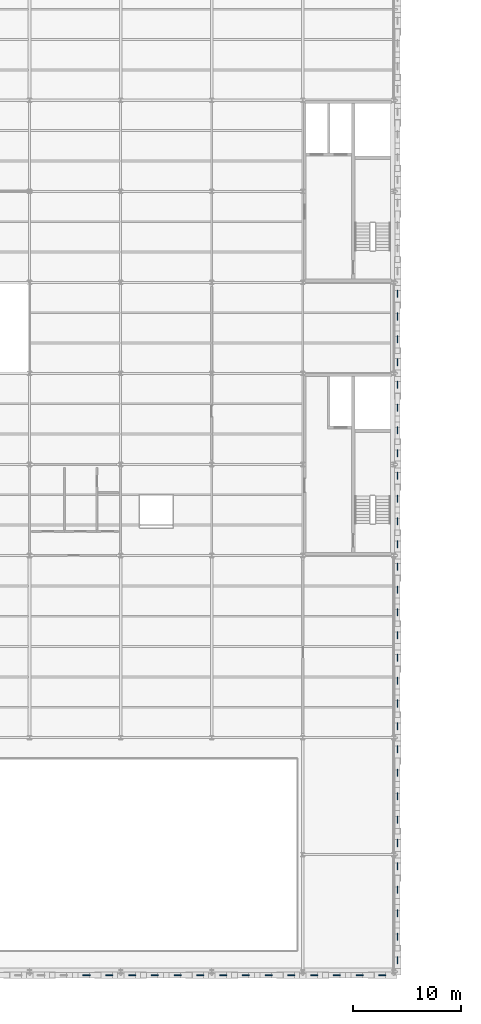
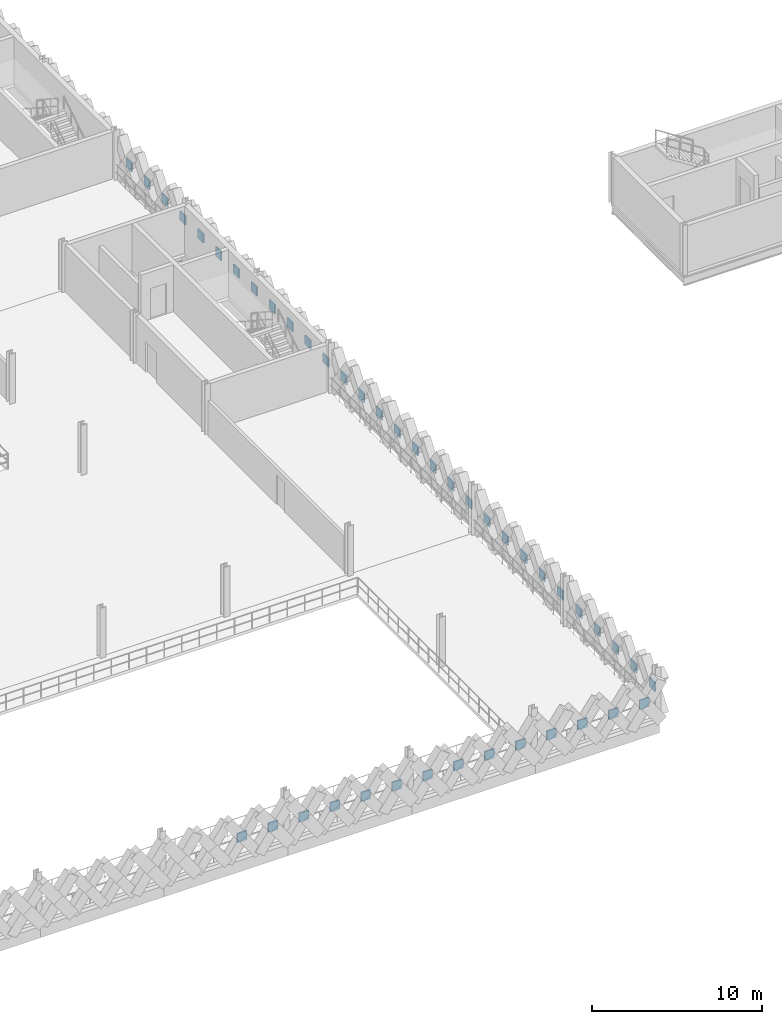
# One storey, part 56 of 79: 44 plates.
"""IFC4 building model written with IfcOpenShell, lengths in metres."""

from ifc_helpers import new_model, si_unit, direction, frame, origin, origin_2d, place, context, subcontext, project, spatial, rectangle, extrude, material, layer, layer_set, type_object, element, save


model = new_model("IFC4")

# Units and contexts
model_context = context("Model", 3, precision=1e-05, world=origin(), true_north=direction((0.0, 1.0)))
body_context = subcontext(model_context, "Body", "Model", "MODEL_VIEW")
ifc_project = project(units=[si_unit("LENGTHUNIT", "METRE"), si_unit("AREAUNIT", "SQUARE_METRE"), si_unit("VOLUMEUNIT", "CUBIC_METRE"), si_unit("PLANEANGLEUNIT", "RADIAN"), si_unit("MASSUNIT", "GRAM", prefix="KILO"), si_unit("THERMODYNAMICTEMPERATUREUNIT", "KELVIN"), si_unit("POWERUNIT", "WATT")], contexts=[model_context])

# Site, building, storey
site_placement = place(None, origin())
site = spatial("IfcSite", under=ifc_project, at=site_placement, CompositionType="ELEMENT")
building_placement = place(site_placement, origin())
building = spatial("IfcBuilding", under=site, at=building_placement, Name="Tembeka Court Mobility Hub", CompositionType="ELEMENT")
storey_placement = place(building_placement, frame((0.0, 0.0, 9.0)))
storey = spatial("IfcBuildingStorey", under=building, at=storey_placement, Name="L02", CompositionType="ELEMENT", Elevation=9.0)

# Plates
ifc_material = material(Name="Precast concrete C45/55", Category="concrete")
ifc_layer = layer(ifc_material, 0.090087890625)
ifc_layer_set = layer_set([ifc_layer], Name="Precast concrete C45/55")
plate_type = type_object("IfcPlateType", Name="PL-PC01", PredefinedType="SHEET", material=ifc_layer_set)
for number, where, z_axis, x_axis, name in (
    (1, (64.050048828125, -0.340087890625, 1.16015625), (0.0, 0.0, 1.0), (1.0, 0.0, 0.0), "Precast diamond lattice node plate PCN01 (L02-219)"),
    (2, (66.14990234375, -0.340087890625, 1.16015625), (0.0, 0.0, 1.0), (1.0, 0.0, 0.0), "Precast diamond lattice node plate PCN01 (L02-220)"),
    (3, (68.25, -0.340087890625, 1.16015625), (0.0, 0.0, 1.0), (1.0, 0.0, 0.0), "Precast diamond lattice node plate PCN01 (L02-221)"),
    (4, (70.35009765625, -0.340087890625, 1.16015625), (0.0, 0.0, 1.0), (1.0, 0.0, 0.0), "Precast diamond lattice node plate PCN01 (L02-222)"),
    (5, (72.449951171875, -0.340087890625, 1.16015625), (0.0, 0.0, 1.0), (1.0, 0.0, 0.0), "Precast diamond lattice node plate PCN01 (L02-223)"),
    (6, (74.550048828125, -0.340087890625, 1.16015625), (0.0, 0.0, 1.0), (1.0, 0.0, 0.0), "Precast diamond lattice node plate PCN01 (L02-224)"),
    (7, (76.64990234375, -0.340087890625, 1.16015625), (0.0, 0.0, 1.0), (1.0, 0.0, 0.0), "Precast diamond lattice node plate PCN01 (L02-225)"),
    (8, (78.75, -0.340087890625, 1.16015625), (0.0, 0.0, 1.0), (1.0, 0.0, 0.0), "Precast diamond lattice node plate PCN01 (L02-226)"),
    (9, (80.85009765625, -0.340087890625, 1.16015625), (0.0, 0.0, 1.0), (1.0, 0.0, 0.0), "Precast diamond lattice node plate PCN01 (L02-227)"),
    (10, (82.949951171875, -0.340087890625, 1.16015625), (0.0, 0.0, 1.0), (1.0, 0.0, 0.0), "Precast diamond lattice node plate PCN01 (L02-228)"),
    (11, (85.050048828125, -0.340087890625, 1.16015625), (0.0, 0.0, 1.0), (1.0, 0.0, 0.0), "Precast diamond lattice node plate PCN01 (L02-229)"),
    (12, (87.14990234375, -0.340087890625, 1.16015625), (0.0, 0.0, 1.0), (1.0, 0.0, 0.0), "Precast diamond lattice node plate PCN01 (L02-230)"),
    (13, (89.25, -0.340087890625, 1.16015625), (0.0, 0.0, 1.0), (1.0, 0.0, 0.0), "Precast diamond lattice node plate PCN01 (L02-231)"),
    (14, (91.35009765625, -0.340087890625, 1.16015625), (0.0, 0.0, 1.0), (1.0, 0.0, 0.0), "Precast diamond lattice node plate PCN01 (L02-232)"),
):
    element("IfcPlate", number, at=place(storey_placement, frame(where, z_axis=z_axis, x_axis=x_axis)), inside=storey, type_object=plate_type, Name=name, PredefinedType="SHEET", context=body_context, shape_type="SweptSolid", body=[
        extrude(rectangle(XDim=0.64990234375, YDim=0.090087890625, at=origin_2d()), origin(), (0.0, 0.0, 1.0), 0.64990234375),
    ])
for number, where, z_axis, x_axis, name in (
    (15, (92.739990234375, 1.080078125, 1.16015625), (0.0, 0.0, 1.0), (1.0, 0.0, 0.0), "Precast diamond lattice node plate PCN01 (L02-333)"),
    (16, (92.739990234375, 3.239990234375, 1.16015625), (0.0, 0.0, 1.0), (1.0, 0.0, 0.0), "Precast diamond lattice node plate PCN01 (L02-334)"),
    (17, (92.739990234375, 5.39990234375, 1.16015625), (0.0, 0.0, 1.0), (1.0, 0.0, 0.0), "Precast diamond lattice node plate PCN01 (L02-335)"),
    (18, (92.739990234375, 7.56005859375, 1.16015625), (0.0, 0.0, 1.0), (1.0, 0.0, 0.0), "Precast diamond lattice node plate PCN01 (L02-336)"),
    (19, (92.739990234375, 9.719970703125, 1.16015625), (0.0, 0.0, 1.0), (1.0, 0.0, 0.0), "Precast diamond lattice node plate PCN01 (L02-337)"),
    (20, (92.739990234375, 11.8798828125, 1.16015625), (0.0, 0.0, 1.0), (1.0, 0.0, 0.0), "Precast diamond lattice node plate PCN01 (L02-338)"),
    (21, (92.739990234375, 14.0400390625, 1.16015625), (0.0, 0.0, 1.0), (1.0, 0.0, 0.0), "Precast diamond lattice node plate PCN01 (L02-339)"),
    (22, (92.739990234375, 16.199951171875, 1.16015625), (0.0, 0.0, 1.0), (1.0, 0.0, 0.0), "Precast diamond lattice node plate PCN01 (L02-340)"),
    (23, (92.739990234375, 18.360107421875, 1.16015625), (0.0, 0.0, 1.0), (1.0, 0.0, 0.0), "Precast diamond lattice node plate PCN01 (L02-341)"),
    (24, (92.739990234375, 20.52001953125, 1.16015625), (0.0, 0.0, 1.0), (1.0, 0.0, 0.0), "Precast diamond lattice node plate PCN01 (L02-342)"),
    (25, (92.739990234375, 22.64990234375, 1.16015625), (0.0, 0.0, 1.0), (1.0, 0.0, 0.0), "Precast diamond lattice node plate PCN01 (L02-343)"),
    (26, (92.739990234375, 24.75, 1.16015625), (0.0, 0.0, 1.0), (1.0, 0.0, 0.0), "Precast diamond lattice node plate PCN01 (L02-344)"),
    (27, (92.739990234375, 26.85009765625, 1.16015625), (0.0, 0.0, 1.0), (1.0, 0.0, 0.0), "Precast diamond lattice node plate PCN01 (L02-345)"),
    (28, (92.739990234375, 28.949951171875, 1.16015625), (0.0, 0.0, 1.0), (1.0, 0.0, 0.0), "Precast diamond lattice node plate PCN01 (L02-346)"),
    (29, (92.739990234375, 31.050048828125, 1.16015625), (0.0, 0.0, 1.0), (1.0, 0.0, 0.0), "Precast diamond lattice node plate PCN01 (L02-347)"),
    (30, (92.739990234375, 33.14990234375, 1.16015625), (0.0, 0.0, 1.0), (1.0, 0.0, 0.0), "Precast diamond lattice node plate PCN01 (L02-348)"),
    (31, (92.739990234375, 35.25, 1.16015625), (0.0, 0.0, 1.0), (1.0, 0.0, 0.0), "Precast diamond lattice node plate PCN01 (L02-349)"),
    (32, (92.739990234375, 37.35009765625, 1.16015625), (0.0, 0.0, 1.0), (1.0, 0.0, 0.0), "Precast diamond lattice node plate PCN01 (L02-350)"),
    (33, (92.739990234375, 39.449951171875, 1.16015625), (0.0, 0.0, 1.0), (1.0, 0.0, 0.0), "Precast diamond lattice node plate PCN01 (L02-351)"),
    (34, (92.739990234375, 41.550048828125, 1.16015625), (0.0, 0.0, 1.0), (1.0, 0.0, 0.0), "Precast diamond lattice node plate PCN01 (L02-352)"),
    (35, (92.739990234375, 43.64990234375, 1.16015625), (0.0, 0.0, 1.0), (1.0, 0.0, 0.0), "Precast diamond lattice node plate PCN01 (L02-353)"),
    (36, (92.739990234375, 45.75, 1.16015625), (0.0, 0.0, 1.0), (1.0, 0.0, 0.0), "Precast diamond lattice node plate PCN01 (L02-354)"),
    (37, (92.739990234375, 47.85009765625, 1.16015625), (0.0, 0.0, 1.0), (1.0, 0.0, 0.0), "Precast diamond lattice node plate PCN01 (L02-355)"),
    (38, (92.739990234375, 49.949951171875, 1.16015625), (0.0, 0.0, 1.0), (1.0, 0.0, 0.0), "Precast diamond lattice node plate PCN01 (L02-356)"),
    (39, (92.739990234375, 52.050048828125, 1.16015625), (0.0, 0.0, 1.0), (1.0, 0.0, 0.0), "Precast diamond lattice node plate PCN01 (L02-357)"),
    (40, (92.739990234375, 54.14990234375, 1.16015625), (0.0, 0.0, 1.0), (1.0, 0.0, 0.0), "Precast diamond lattice node plate PCN01 (L02-358)"),
    (41, (92.739990234375, 56.25, 1.16015625), (0.0, 0.0, 1.0), (1.0, 0.0, 0.0), "Precast diamond lattice node plate PCN01 (L02-359)"),
    (42, (92.739990234375, 58.35009765625, 1.16015625), (0.0, 0.0, 1.0), (1.0, 0.0, 0.0), "Precast diamond lattice node plate PCN01 (L02-360)"),
    (43, (92.739990234375, 60.449951171875, 1.16015625), (0.0, 0.0, 1.0), (1.0, 0.0, 0.0), "Precast diamond lattice node plate PCN01 (L02-361)"),
    (44, (92.739990234375, 62.550048828125, 1.16015625), (0.0, 0.0, 1.0), (1.0, 0.0, 0.0), "Precast diamond lattice node plate PCN01 (L02-362)"),
):
    element("IfcPlate", number, at=place(storey_placement, frame(where, z_axis=z_axis, x_axis=x_axis)), inside=storey, type_object=plate_type, Name=name, PredefinedType="SHEET", context=body_context, shape_type="SweptSolid", body=[
        extrude(rectangle(XDim=0.090087890625, YDim=0.64990234375, at=origin_2d()), origin(), (0.0, 0.0, 1.0), 0.64990234375),
    ])

save(model, "model.ifc")
